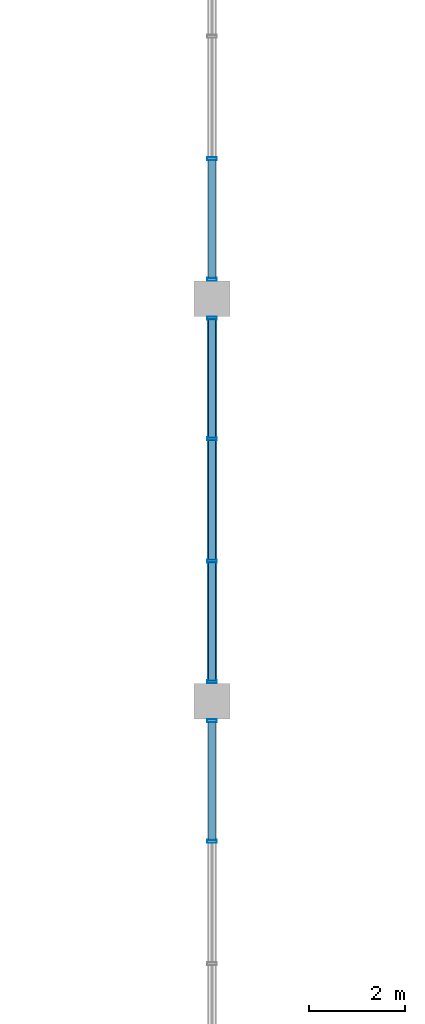
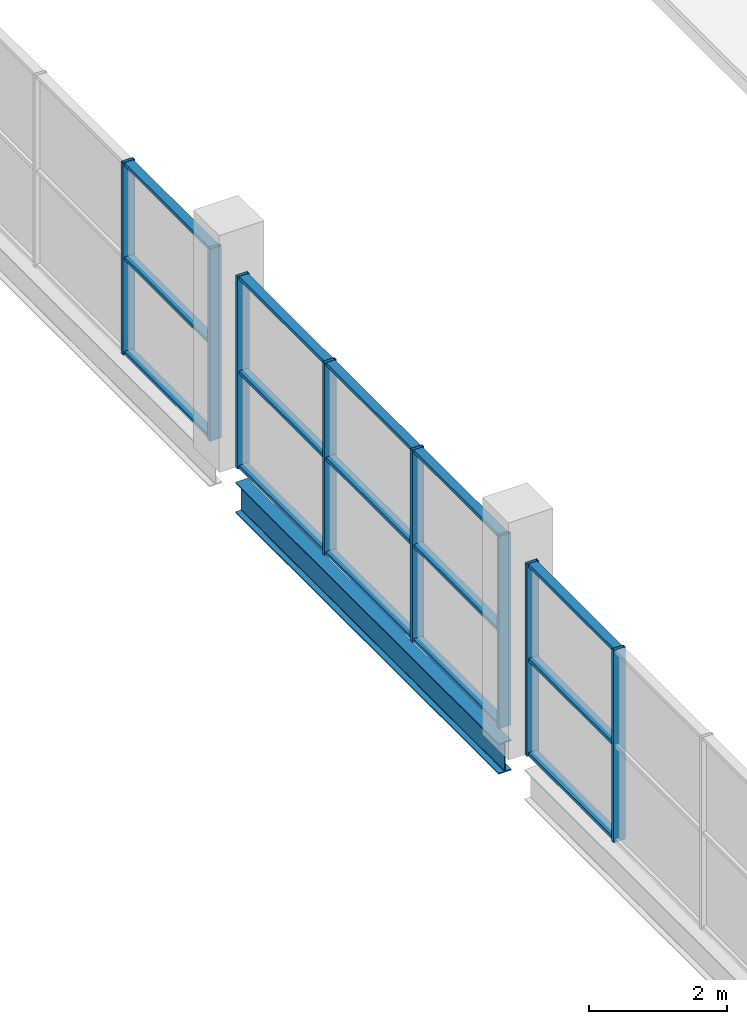
# One storey, part 44 of 93: 23 members, 1 beam, 3 elements without a shape of their own.
"""IFC4 building model written with IfcOpenShell, lengths in metres."""

import ifcopenshell
import ifcopenshell.guid

model = None  # the IFC model being written
_history = None  # IfcOwnerHistory: only IFC2X3 demands one
_inside = {}  # id of a spatial element -> (the spatial element, [elements in it])
_under = {}  # id of a project, library or spatial element -> (it, [spatial elements below it])
_declared = {}  # id of a project -> (the project, [libraries it declares])
_typed = {}  # id of a type object -> (the type object, [elements of that type])
_made_of = {}  # id of a material, layer set ... -> (it, [elements and type objects made of it])


def new_model(schema):
    """Start an empty IFC model of exactly this schema.

    Asked for "IFC4X3", IfcOpenShell would pick the latest addendum, in which some entities
    have other attributes; the version numbers below select the first issue.
    IFC2X3 requires an IfcOwnerHistory on every rooted entity: one is made here for all.
    """
    global model, _history
    if schema == "IFC4X3":
        model = ifcopenshell.file(schema_version=(4, 3, 0, 0))
    else:
        model = ifcopenshell.file(schema=schema)
    _inside.clear()
    _under.clear()
    _declared.clear()
    _typed.clear()
    _made_of.clear()
    _history = None
    if model.schema == "IFC2X3":
        org = make("IfcOrganization", Name="unknown")
        user = make(
            "IfcPersonAndOrganization",
            ThePerson=make("IfcPerson", FamilyName="unknown"),
            TheOrganization=org,
        )
        app = make(
            "IfcApplication",
            ApplicationDeveloper=org,
            Version="unknown",
            ApplicationFullName="unknown",
            ApplicationIdentifier="unknown",
        )
        _history = make(
            "IfcOwnerHistory",
            OwningUser=user,
            OwningApplication=app,
            ChangeAction="ADDED",
            CreationDate=0,
        )
    return model


def make(cls, **values):
    """One entity of the class cls with the attributes given. An attribute that is None is left unset."""
    return model.create_entity(
        cls, **{name: value for name, value in values.items() if value is not None}
    )


def rooted(cls, **values):
    """An entity with a GlobalId (a new one), such as an element, a storey or a relation."""
    return make(cls, GlobalId=ifcopenshell.guid.new(), OwnerHistory=_history, **values)


def si_unit(unit_type, name, prefix=None):
    """IfcSIUnit, for example si_unit("LENGTHUNIT", "METRE", prefix="MILLI")."""
    return make("IfcSIUnit", UnitType=unit_type, Prefix=prefix, Name=name)


def assignment(units):
    """IfcUnitAssignment: the units of a project."""
    return None if units is None else make("IfcUnitAssignment", Units=units)


def point(xyz):
    """IfcCartesianPoint."""
    return None if xyz is None else make("IfcCartesianPoint", Coordinates=xyz)


def direction(xyz):
    """IfcDirection."""
    return None if xyz is None else make("IfcDirection", DirectionRatios=xyz)


def frame(location, z_axis=None, x_axis=None):
    """IfcAxis2Placement3D, a coordinate frame: its origin and axes. An axis left out is left unset."""
    return make(
        "IfcAxis2Placement3D",
        Location=point(location),
        Axis=direction(z_axis),
        RefDirection=direction(x_axis),
    )


def frame_2d(location, x_axis=None):
    """IfcAxis2Placement2D, a coordinate frame in the plane: its origin and x axis."""
    return make(
        "IfcAxis2Placement2D", Location=point(location), RefDirection=direction(x_axis)
    )


def origin():
    """The frame at (0, 0, 0) with its axes left unset."""
    return frame((0.0, 0.0, 0.0))


def origin_2d():
    """The frame at (0, 0) in the plane with its x axis left unset."""
    return frame_2d((0.0, 0.0))


def place(relative_to, where):
    """IfcLocalPlacement: puts the frame where relative to a parent placement (None: the world)."""
    return make(
        "IfcLocalPlacement", PlacementRelTo=relative_to, RelativePlacement=where
    )


def context(
    kind, dimensions, precision=None, world=None, true_north=None, identifier=None
):
    """IfcGeometricRepresentationContext, for example the 3D "Model" context."""
    return make(
        "IfcGeometricRepresentationContext",
        ContextIdentifier=identifier,
        ContextType=kind,
        CoordinateSpaceDimension=dimensions,
        Precision=precision,
        WorldCoordinateSystem=world,
        TrueNorth=true_north,
    )


def subcontext(parent, identifier, kind, view, scale=None):
    """IfcGeometricRepresentationSubContext, for example "Body" below "Model"."""
    return make(
        "IfcGeometricRepresentationSubContext",
        ContextIdentifier=identifier,
        ContextType=kind,
        ParentContext=parent,
        TargetScale=scale,
        TargetView=view,
    )


def project(units=None, contexts=None):
    """IfcProject with its units and contexts."""
    return rooted(
        "IfcProject",
        Name="project",
        RepresentationContexts=contexts,
        UnitsInContext=assignment(units),
    )


def spatial(cls, under=None, at=None, **own):
    """A site, building, storey or space (cls), placed at a placement, below another one or the project."""
    s = rooted(cls, ObjectPlacement=at, **own)
    if under is not None:
        _under.setdefault(under.id(), (under, []))[1].append(s)
    return s


def profile(cls, at=None, kind="AREA", **sizes):
    """A parametric profile (cls). Its sizes go by their IFC names, for example OverallWidth=200.0."""
    return make(cls, ProfileType=kind, Position=at, **sizes)


def hollow_rectangle(**sizes):
    """IfcRectangleHollowProfileDef."""
    return profile("IfcRectangleHollowProfileDef", **sizes)


def i_section(**sizes):
    """IfcIShapeProfileDef."""
    return profile("IfcIShapeProfileDef", **sizes)


def extrude(swept, where, along, depth):
    """IfcExtrudedAreaSolid: the profile swept, set in the frame where, extruded along a direction by depth."""
    return make(
        "IfcExtrudedAreaSolid",
        SweptArea=swept,
        Position=where,
        ExtrudedDirection=direction(along),
        Depth=depth,
    )


def shape(context_of_items, identifier, shape_type, items):
    """IfcShapeRepresentation: the items that make up one representation, for example the "Body"."""
    return make(
        "IfcShapeRepresentation",
        ContextOfItems=context_of_items,
        RepresentationIdentifier=identifier,
        RepresentationType=shape_type,
        Items=items,
    )


def material(Name=None, Category=None):
    """IfcMaterial."""
    return make("IfcMaterial", Name=Name, Category=Category)


def material_profile(
    of_material, cross_section, Name=None, Category=None, Priority=None
):
    """IfcMaterialProfile: a cross section and its material."""
    return make(
        "IfcMaterialProfile",
        Name=Name,
        Material=of_material,
        Profile=cross_section,
        Priority=Priority,
        Category=Category,
    )


def profile_set(profiles, Name=None, composite=None):
    """IfcMaterialProfileSet."""
    return make(
        "IfcMaterialProfileSet",
        Name=Name,
        MaterialProfiles=profiles,
        CompositeProfile=composite,
    )


def made_of(thing, what):
    """Note that an element or type object is made of a material, layer set ...; save() writes the relation."""
    if what is not None:
        _made_of.setdefault(what.id(), (what, []))[1].append(thing)
    return thing


def type_object(cls, material=None, **own):
    """A type object (cls), such as IfcWallType, which elements share."""
    return made_of(rooted(cls, **own), material)


def element(
    cls,
    number,
    at=None,
    inside=None,
    cuts=None,
    type_object=None,
    material=None,
    context=None,
    identifier="Body",
    shape_type=None,
    held_by="IfcProductDefinitionShape",
    body=None,
    shapes=None,
    **own,
):
    """One element of the class cls, such as IfcWall. Its Tag is "e" and its number.

    at: its placement. inside: the storey or other place that contains it. cuts: it is an
    opening in that element (IfcRelVoidsElement). A single representation is given by context,
    identifier, shape_type and body (its items); several are given by shapes. held_by: the class
    of the entity that holds the representations. save() writes the other relations.
    """
    e = rooted(cls, Tag="e%d" % number, ObjectPlacement=at, **own)
    if body is not None:
        shapes = [shape(context, identifier, shape_type, body)]
    if shapes is not None:
        e.Representation = make(held_by, Representations=shapes)
    if inside is not None:
        _inside.setdefault(inside.id(), (inside, []))[1].append(e)
    if cuts is not None:
        rooted(
            "IfcRelVoidsElement", RelatingBuildingElement=cuts, RelatedOpeningElement=e
        )
    if type_object is not None:
        _typed.setdefault(type_object.id(), (type_object, []))[1].append(e)
    return made_of(e, material)


def aggregate(whole, parts):
    """IfcRelAggregates: a whole, such as a stair, and the parts it consists of."""
    return rooted("IfcRelAggregates", RelatingObject=whole, RelatedObjects=parts)


def save(model, path):
    """Write the relations noted so far, then the file.

    IfcRelAggregates (storeys below a building ...), IfcRelContainedInSpatialStructure (elements
    in a storey), IfcRelDefinesByType, IfcRelAssociatesMaterial and IfcRelDeclares: one each for
    every whole, place, type object, material and project.
    """
    for whole, parts in _under.values():
        aggregate(whole, parts)
    for where, things in _inside.values():
        rooted(
            "IfcRelContainedInSpatialStructure",
            RelatedElements=things,
            RelatingStructure=where,
        )
    for kind, things in _typed.values():
        rooted("IfcRelDefinesByType", RelatedObjects=things, RelatingType=kind)
    for what, things in _made_of.values():
        rooted("IfcRelAssociatesMaterial", RelatedObjects=things, RelatingMaterial=what)
    for by, libraries in _declared.values():
        rooted("IfcRelDeclares", RelatingContext=by, RelatedDefinitions=libraries)
    model.write(path)


model = new_model("IFC4")

# Units and contexts
model_context = context("Model", 3, precision=1e-05, world=origin(), true_north=direction((0.0, 1.0)))
body_context = subcontext(model_context, "Body", "Model", "MODEL_VIEW")
ifc_project = project(units=[si_unit("LENGTHUNIT", "METRE"), si_unit("AREAUNIT", "SQUARE_METRE"), si_unit("VOLUMEUNIT", "CUBIC_METRE"), si_unit("PLANEANGLEUNIT", "RADIAN"), si_unit("MASSUNIT", "GRAM", prefix="KILO"), si_unit("THERMODYNAMICTEMPERATUREUNIT", "KELVIN")], contexts=[model_context])

# Site, building, storey
site_placement = place(None, origin())
site = spatial("IfcSite", under=ifc_project, at=site_placement, CompositionType="ELEMENT")
building_placement = place(site_placement, origin())
building = spatial("IfcBuilding", under=site, at=building_placement, Name="Nduvali Passage Aquatics Centre", CompositionType="ELEMENT")
storey_placement = place(building_placement, frame((0.0, 0.0, 9.0)))
storey = spatial("IfcBuildingStorey", under=building, at=storey_placement, Name="L02", CompositionType="ELEMENT", Elevation=9.0)

# Curtain wall, members
ifc_material_1 = material(Name="Aluminium EN AW-6063 T6", Category="aluminium")
curtain_wall_type = type_object("IfcCurtainWallType", Name="ENV-CW-CLER", PredefinedType="NOTDEFINED", material=ifc_material_1)
curtain_wall_1_placement = place(storey_placement, origin())
curtain_wall_1 = element("IfcCurtainWall", 1, at=curtain_wall_1_placement, inside=storey, type_object=curtain_wall_type, Name="L02 East Passage Pool Hall Mid Clerestory 031", PredefinedType="NOTDEFINED")
ifc_material_profile_1 = material_profile(ifc_material_1, hollow_rectangle(XDim=0.06005859375, YDim=0.199951171875, WallThickness=0.00390625, at=origin_2d()), Name="ALU MULLION 60x200x4")
ifc_profile_set_1 = profile_set([ifc_material_profile_1], Name="Aluminium EN AW-6063 T6")
member_type_1 = type_object("IfcMemberType", Name="ENV-MEM-MUL80", PredefinedType="MULLION", material=ifc_profile_set_1)
member_1_placement = place(storey_placement, frame((126.0, 64.27490234375, 0.0), z_axis=(0.0, 0.0, 1.0), x_axis=(0.0, 1.0, 0.0)))
member_1 = element("IfcMember", 2, at=member_1_placement, type_object=member_type_1, Name="East Passage Pool Hall Mid Clerestory Mullion 3", PredefinedType="MULLION", context=body_context, shape_type="SweptSolid", body=[
    extrude(hollow_rectangle(XDim=0.06005859375, YDim=0.199951171875, WallThickness=0.00390625, at=origin_2d()), origin(), (0.0, 0.0, 1.0), 3.406494140625),
])
member_2_placement = place(storey_placement, frame((126.0, 66.794921875, 0.0), z_axis=(0.0, 0.0, 1.0), x_axis=(0.0, 1.0, 0.0)))
member_2 = element("IfcMember", 3, at=member_2_placement, type_object=member_type_1, Name="East Passage Pool Hall Mid Clerestory Mullion 4", PredefinedType="MULLION", context=body_context, shape_type="SweptSolid", body=[
    extrude(hollow_rectangle(XDim=0.06005859375, YDim=0.199951171875, WallThickness=0.00390625, at=origin_2d()), origin(), (0.0, 0.0, 1.0), 3.406494140625),
])

curtain_wall_2_placement = place(storey_placement, origin())
curtain_wall_2 = element("IfcCurtainWall", 4, at=curtain_wall_2_placement, inside=storey, type_object=curtain_wall_type, Name="L02 East Passage Pool Hall Mid Clerestory 035", PredefinedType="NOTDEFINED")
member_3_placement = place(storey_placement, frame((126.0, 67.60498046875, 0.0), z_axis=(0.0, 0.0, 1.0), x_axis=(0.0, 1.0, 0.0)))
member_3 = element("IfcMember", 5, at=member_3_placement, type_object=member_type_1, Name="East Passage Pool Hall Mid Clerestory Mullion 1", PredefinedType="MULLION", context=body_context, shape_type="SweptSolid", body=[
    extrude(hollow_rectangle(XDim=0.06005859375, YDim=0.199951171875, WallThickness=0.00390625, at=origin_2d()), origin(), (0.0, 0.0, 1.0), 3.406494140625),
])
member_4_placement = place(storey_placement, frame((126.0, 70.125, 0.0), z_axis=(0.0, 0.0, 1.0), x_axis=(0.0, 1.0, 0.0)))
member_4 = element("IfcMember", 6, at=member_4_placement, type_object=member_type_1, Name="East Passage Pool Hall Mid Clerestory Mullion 2", PredefinedType="MULLION", context=body_context, shape_type="SweptSolid", body=[
    extrude(hollow_rectangle(XDim=0.06005859375, YDim=0.199951171875, WallThickness=0.00390625, at=origin_2d()), origin(), (0.0, 0.0, 1.0), 3.406494140625),
])
member_5_placement = place(storey_placement, frame((126.0, 72.675048828125, 0.0), z_axis=(0.0, 0.0, 1.0), x_axis=(0.0, 1.0, 0.0)))
member_5 = element("IfcMember", 7, at=member_5_placement, type_object=member_type_1, Name="East Passage Pool Hall Mid Clerestory Mullion 3", PredefinedType="MULLION", context=body_context, shape_type="SweptSolid", body=[
    extrude(hollow_rectangle(XDim=0.06005859375, YDim=0.199951171875, WallThickness=0.00390625, at=origin_2d()), origin(), (0.0, 0.0, 1.0), 3.406494140625),
])
member_6_placement = place(storey_placement, frame((126.0, 75.195068359375, 0.0), z_axis=(0.0, 0.0, 1.0), x_axis=(0.0, 1.0, 0.0)))
member_6 = element("IfcMember", 8, at=member_6_placement, type_object=member_type_1, Name="East Passage Pool Hall Mid Clerestory Mullion 4", PredefinedType="MULLION", context=body_context, shape_type="SweptSolid", body=[
    extrude(hollow_rectangle(XDim=0.06005859375, YDim=0.199951171875, WallThickness=0.00390625, at=origin_2d()), origin(), (0.0, 0.0, 1.0), 3.406494140625),
])

curtain_wall_3_placement = place(storey_placement, origin())
curtain_wall_3 = element("IfcCurtainWall", 9, at=curtain_wall_3_placement, inside=storey, type_object=curtain_wall_type, Name="L02 East Passage Pool Hall Mid Clerestory 039", PredefinedType="NOTDEFINED")
member_7_placement = place(storey_placement, frame((126.0, 76.0048828125, 0.0), z_axis=(0.0, 0.0, 1.0), x_axis=(0.0, 1.0, 0.0)))
member_7 = element("IfcMember", 10, at=member_7_placement, type_object=member_type_1, Name="East Passage Pool Hall Mid Clerestory Mullion 1", PredefinedType="MULLION", context=body_context, shape_type="SweptSolid", body=[
    extrude(hollow_rectangle(XDim=0.06005859375, YDim=0.199951171875, WallThickness=0.00390625, at=origin_2d()), origin(), (0.0, 0.0, 1.0), 3.406494140625),
])
member_8_placement = place(storey_placement, frame((126.0, 78.52490234375, 0.0), z_axis=(0.0, 0.0, 1.0), x_axis=(0.0, 1.0, 0.0)))
member_8 = element("IfcMember", 11, at=member_8_placement, type_object=member_type_1, Name="East Passage Pool Hall Mid Clerestory Mullion 2", PredefinedType="MULLION", context=body_context, shape_type="SweptSolid", body=[
    extrude(hollow_rectangle(XDim=0.06005859375, YDim=0.199951171875, WallThickness=0.00390625, at=origin_2d()), origin(), (0.0, 0.0, 1.0), 3.406494140625),
])

# Member
ifc_material_profile_2 = material_profile(ifc_material_1, hollow_rectangle(XDim=0.14990234375, YDim=0.06005859375, WallThickness=0.00390625, at=origin_2d()), Name="ALU TRANSOM 150x60x4")
ifc_profile_set_2 = profile_set([ifc_material_profile_2], Name="Aluminium EN AW-6063 T6")
member_type_2 = type_object("IfcMemberType", Name="ENV-MEM-TRN80", PredefinedType="USERDEFINED", material=ifc_profile_set_2)
member_9_placement = place(storey_placement, frame((126.0, 64.304931640625, 0.030029296875), z_axis=(0.0, 1.0, 0.0), x_axis=(-1.0, 0.0, 0.0)))
member_9 = element("IfcMember", 12, at=member_9_placement, type_object=member_type_2, Name="East Passage Pool Hall Mid Clerestory Transom B3-R0", ObjectType="TRANSOM", PredefinedType="USERDEFINED", context=body_context, shape_type="SweptSolid", body=[
    extrude(hollow_rectangle(XDim=0.14990234375, YDim=0.06005859375, WallThickness=0.00390625, at=origin_2d()), origin(), (0.0, 0.0, 1.0), 2.4599609375),
])

member_10_placement = place(storey_placement, frame((126.0, 64.304931640625, 1.703125), z_axis=(0.0, 1.0, 0.0), x_axis=(-1.0, 0.0, 0.0)))
member_10 = element("IfcMember", 13, at=member_10_placement, type_object=member_type_2, Name="East Passage Pool Hall Mid Clerestory Transom B3-R1", ObjectType="TRANSOM", PredefinedType="USERDEFINED", context=body_context, shape_type="SweptSolid", body=[
    extrude(hollow_rectangle(XDim=0.14990234375, YDim=0.06005859375, WallThickness=0.00390625, at=origin_2d()), origin(), (0.0, 0.0, 1.0), 2.4599609375),
])

member_11_placement = place(storey_placement, frame((126.0, 64.304931640625, 3.37646484375), z_axis=(0.0, 1.0, 0.0), x_axis=(-1.0, 0.0, 0.0)))
member_11 = element("IfcMember", 14, at=member_11_placement, type_object=member_type_2, Name="East Passage Pool Hall Mid Clerestory Transom B3-R2", ObjectType="TRANSOM", PredefinedType="USERDEFINED", context=body_context, shape_type="SweptSolid", body=[
    extrude(hollow_rectangle(XDim=0.14990234375, YDim=0.06005859375, WallThickness=0.00390625, at=origin_2d()), origin(), (0.0, 0.0, 1.0), 2.4599609375),
])

aggregate(curtain_wall_1, [member_1, member_2, member_9, member_10, member_11])

member_12_placement = place(storey_placement, frame((126.0, 67.635009765625, 0.030029296875), z_axis=(0.0, 1.0, 0.0), x_axis=(-1.0, 0.0, 0.0)))
member_12 = element("IfcMember", 15, at=member_12_placement, type_object=member_type_2, Name="East Passage Pool Hall Mid Clerestory Transom B1-R0", ObjectType="TRANSOM", PredefinedType="USERDEFINED", context=body_context, shape_type="SweptSolid", body=[
    extrude(hollow_rectangle(XDim=0.14990234375, YDim=0.06005859375, WallThickness=0.00390625, at=origin_2d()), origin(), (0.0, 0.0, 1.0), 2.4599609375),
])

member_13_placement = place(storey_placement, frame((126.0, 67.635009765625, 1.703125), z_axis=(0.0, 1.0, 0.0), x_axis=(-1.0, 0.0, 0.0)))
member_13 = element("IfcMember", 16, at=member_13_placement, type_object=member_type_2, Name="East Passage Pool Hall Mid Clerestory Transom B1-R1", ObjectType="TRANSOM", PredefinedType="USERDEFINED", context=body_context, shape_type="SweptSolid", body=[
    extrude(hollow_rectangle(XDim=0.14990234375, YDim=0.06005859375, WallThickness=0.00390625, at=origin_2d()), origin(), (0.0, 0.0, 1.0), 2.4599609375),
])

member_14_placement = place(storey_placement, frame((126.0, 67.635009765625, 3.37646484375), z_axis=(0.0, 1.0, 0.0), x_axis=(-1.0, 0.0, 0.0)))
member_14 = element("IfcMember", 17, at=member_14_placement, type_object=member_type_2, Name="East Passage Pool Hall Mid Clerestory Transom B1-R2", ObjectType="TRANSOM", PredefinedType="USERDEFINED", context=body_context, shape_type="SweptSolid", body=[
    extrude(hollow_rectangle(XDim=0.14990234375, YDim=0.06005859375, WallThickness=0.00390625, at=origin_2d()), origin(), (0.0, 0.0, 1.0), 2.4599609375),
])

member_15_placement = place(storey_placement, frame((126.0, 70.155029296875, 0.030029296875), z_axis=(0.0, 1.0, 0.0), x_axis=(-1.0, 0.0, 0.0)))
member_15 = element("IfcMember", 18, at=member_15_placement, type_object=member_type_2, Name="East Passage Pool Hall Mid Clerestory Transom B2-R0", ObjectType="TRANSOM", PredefinedType="USERDEFINED", context=body_context, shape_type="SweptSolid", body=[
    extrude(hollow_rectangle(XDim=0.14990234375, YDim=0.06005859375, WallThickness=0.00390625, at=origin_2d()), origin(), (0.0, 0.0, 1.0), 2.489990234375),
])

member_16_placement = place(storey_placement, frame((126.0, 70.155029296875, 1.703125), z_axis=(0.0, 1.0, 0.0), x_axis=(-1.0, 0.0, 0.0)))
member_16 = element("IfcMember", 19, at=member_16_placement, type_object=member_type_2, Name="East Passage Pool Hall Mid Clerestory Transom B2-R1", ObjectType="TRANSOM", PredefinedType="USERDEFINED", context=body_context, shape_type="SweptSolid", body=[
    extrude(hollow_rectangle(XDim=0.14990234375, YDim=0.06005859375, WallThickness=0.00390625, at=origin_2d()), origin(), (0.0, 0.0, 1.0), 2.489990234375),
])

member_17_placement = place(storey_placement, frame((126.0, 70.155029296875, 3.37646484375), z_axis=(0.0, 1.0, 0.0), x_axis=(-1.0, 0.0, 0.0)))
member_17 = element("IfcMember", 20, at=member_17_placement, type_object=member_type_2, Name="East Passage Pool Hall Mid Clerestory Transom B2-R2", ObjectType="TRANSOM", PredefinedType="USERDEFINED", context=body_context, shape_type="SweptSolid", body=[
    extrude(hollow_rectangle(XDim=0.14990234375, YDim=0.06005859375, WallThickness=0.00390625, at=origin_2d()), origin(), (0.0, 0.0, 1.0), 2.489990234375),
])

member_18_placement = place(storey_placement, frame((126.0, 72.705078125, 0.030029296875), z_axis=(0.0, 1.0, 0.0), x_axis=(-1.0, 0.0, 0.0)))
member_18 = element("IfcMember", 21, at=member_18_placement, type_object=member_type_2, Name="East Passage Pool Hall Mid Clerestory Transom B3-R0", ObjectType="TRANSOM", PredefinedType="USERDEFINED", context=body_context, shape_type="SweptSolid", body=[
    extrude(hollow_rectangle(XDim=0.14990234375, YDim=0.06005859375, WallThickness=0.00390625, at=origin_2d()), origin(), (0.0, 0.0, 1.0), 2.4599609375),
])

member_19_placement = place(storey_placement, frame((126.0, 72.705078125, 1.703125), z_axis=(0.0, 1.0, 0.0), x_axis=(-1.0, 0.0, 0.0)))
member_19 = element("IfcMember", 22, at=member_19_placement, type_object=member_type_2, Name="East Passage Pool Hall Mid Clerestory Transom B3-R1", ObjectType="TRANSOM", PredefinedType="USERDEFINED", context=body_context, shape_type="SweptSolid", body=[
    extrude(hollow_rectangle(XDim=0.14990234375, YDim=0.06005859375, WallThickness=0.00390625, at=origin_2d()), origin(), (0.0, 0.0, 1.0), 2.4599609375),
])

member_20_placement = place(storey_placement, frame((126.0, 72.705078125, 3.37646484375), z_axis=(0.0, 1.0, 0.0), x_axis=(-1.0, 0.0, 0.0)))
member_20 = element("IfcMember", 23, at=member_20_placement, type_object=member_type_2, Name="East Passage Pool Hall Mid Clerestory Transom B3-R2", ObjectType="TRANSOM", PredefinedType="USERDEFINED", context=body_context, shape_type="SweptSolid", body=[
    extrude(hollow_rectangle(XDim=0.14990234375, YDim=0.06005859375, WallThickness=0.00390625, at=origin_2d()), origin(), (0.0, 0.0, 1.0), 2.4599609375),
])

aggregate(curtain_wall_2, [member_3, member_4, member_5, member_6, member_12, member_13, member_14, member_15, member_16, member_17, member_18, member_19, member_20])

member_21_placement = place(storey_placement, frame((126.0, 76.034912109375, 0.030029296875), z_axis=(0.0, 1.0, 0.0), x_axis=(-1.0, 0.0, 0.0)))
member_21 = element("IfcMember", 24, at=member_21_placement, type_object=member_type_2, Name="East Passage Pool Hall Mid Clerestory Transom B1-R0", ObjectType="TRANSOM", PredefinedType="USERDEFINED", context=body_context, shape_type="SweptSolid", body=[
    extrude(hollow_rectangle(XDim=0.14990234375, YDim=0.06005859375, WallThickness=0.00390625, at=origin_2d()), origin(), (0.0, 0.0, 1.0), 2.460205078125),
])

member_22_placement = place(storey_placement, frame((126.0, 76.034912109375, 1.703125), z_axis=(0.0, 1.0, 0.0), x_axis=(-1.0, 0.0, 0.0)))
member_22 = element("IfcMember", 25, at=member_22_placement, type_object=member_type_2, Name="East Passage Pool Hall Mid Clerestory Transom B1-R1", ObjectType="TRANSOM", PredefinedType="USERDEFINED", context=body_context, shape_type="SweptSolid", body=[
    extrude(hollow_rectangle(XDim=0.14990234375, YDim=0.06005859375, WallThickness=0.00390625, at=origin_2d()), origin(), (0.0, 0.0, 1.0), 2.460205078125),
])

member_23_placement = place(storey_placement, frame((126.0, 76.034912109375, 3.37646484375), z_axis=(0.0, 1.0, 0.0), x_axis=(-1.0, 0.0, 0.0)))
member_23 = element("IfcMember", 26, at=member_23_placement, type_object=member_type_2, Name="East Passage Pool Hall Mid Clerestory Transom B1-R2", ObjectType="TRANSOM", PredefinedType="USERDEFINED", context=body_context, shape_type="SweptSolid", body=[
    extrude(hollow_rectangle(XDim=0.14990234375, YDim=0.06005859375, WallThickness=0.00390625, at=origin_2d()), origin(), (0.0, 0.0, 1.0), 2.460205078125),
])

aggregate(curtain_wall_3, [member_7, member_8, member_21, member_22, member_23])

# Beam
ifc_material_2 = material(Name="Steel S355", Category="steel")
ifc_material_profile_3 = material_profile(ifc_material_2, i_section(OverallWidth=0.210693359375, OverallDepth=0.53955078125, WebThickness=0.01171875, FlangeThickness=0.018798828125, FilletRadius=0.0126953125, at=origin_2d()), Name="UKB 533x210x109")
ifc_profile_set_3 = profile_set([ifc_material_profile_3], Name="Steel S355")
beam_type = type_object("IfcBeamType", Name="STR-BM-UKB533-EXT", PredefinedType="BEAM", material=ifc_profile_set_3)
beam_placement = place(storey_placement, frame((126.0, 67.574951171875, -0.53369140625), z_axis=(0.0, 1.0, 0.0), x_axis=(-1.0, 0.0, 0.0)))
element("IfcBeam", 27, at=beam_placement, inside=storey, type_object=beam_type, Name="L02 Primary Y-Girder B6E-1015", PredefinedType="BEAM", context=body_context, shape_type="SweptSolid", body=[
    extrude(i_section(OverallWidth=0.210693359375, OverallDepth=0.53955078125, WebThickness=0.01171875, FlangeThickness=0.018798828125, FilletRadius=0.0126953125, at=origin_2d()), origin(), (0.0, 0.0, 1.0), 7.650146484375),
])

save(model, "model.ifc")
